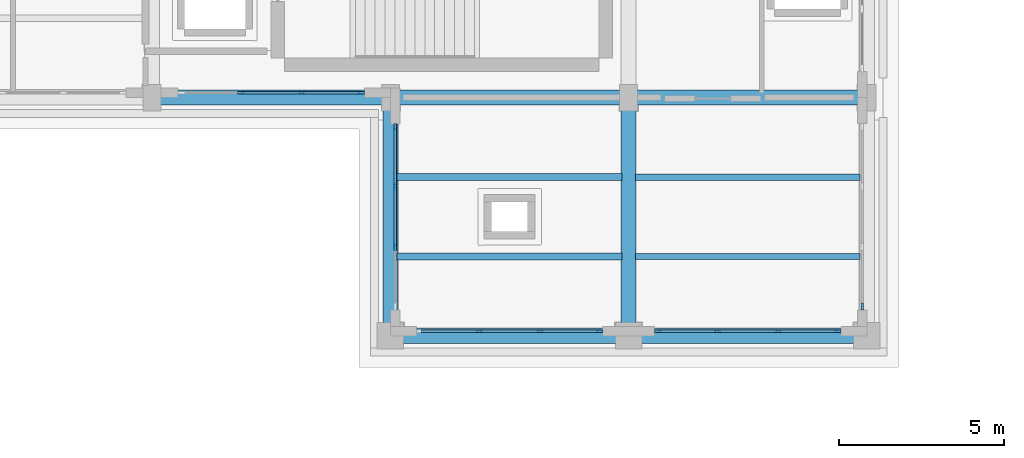
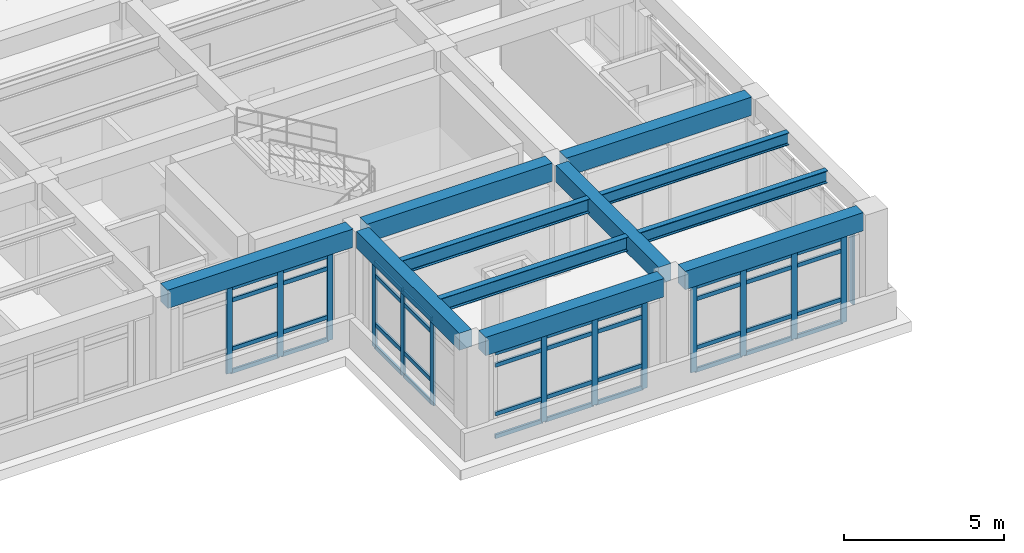
# One storey, part 27 of 67: 54 members, 11 beams, 5 elements without a shape of their own.
"""IFC4 building model written with IfcOpenShell, lengths in metres."""

from ifc_helpers import new_model, si_unit, direction, frame, origin, origin_2d, place, context, subcontext, project, spatial, rectangle, i_section, extrude, material, layer, layer_set, material_profile, profile_set, type_object, element, aggregate, save


model = new_model("IFC4")

# Units and contexts
model_context = context("Model", 3, precision=1e-05, world=origin(), true_north=direction((0.0, 1.0)))
body_context = subcontext(model_context, "Body", "Model", "MODEL_VIEW")
ifc_project = project(units=[si_unit("LENGTHUNIT", "METRE"), si_unit("AREAUNIT", "SQUARE_METRE"), si_unit("VOLUMEUNIT", "CUBIC_METRE"), si_unit("PLANEANGLEUNIT", "RADIAN"), si_unit("MASSUNIT", "GRAM", prefix="KILO")], contexts=[model_context])

# Site, building, storey
site_placement = place(None, origin())
site = spatial("IfcSite", under=ifc_project, at=site_placement, CompositionType="ELEMENT")
building_placement = place(site_placement, origin())
building = spatial("IfcBuilding", under=site, at=building_placement, Name="Solenvale Faculty of Natural Sciences", CompositionType="ELEMENT")
storey_placement = place(building_placement, frame((0.0, 0.0, 13.5)))
storey = spatial("IfcBuildingStorey", under=building, at=storey_placement, Name="L03", CompositionType="ELEMENT", Elevation=13.5)

# Beams
ifc_material_1 = material(Name="Concrete 40 MPa", Category="concrete")
ifc_material_profile_1 = material_profile(ifc_material_1, rectangle(XDim=0.449951171875, YDim=0.64990234375, at=origin_2d()), Name="RC-BM-450x650")
ifc_profile_set_1 = profile_set([ifc_material_profile_1], Name="Concrete 40 MPa")
beam_type_1 = type_object("IfcBeamType", Name="BM-RC-450x650", PredefinedType="BEAM", material=ifc_profile_set_1)
for number, where, z_axis, x_axis, name in (
    (1, (136.800048828125, 86.780029296875, 3.89501953125), (0.0, 1.0, 0.0), (-1.0, 0.0, 0.0), "L03 Y-Girder X136.8 (86.4..93.6)"),
    (2, (144.0, 86.780029296875, 3.89501953125), (0.0, 1.0, 0.0), (-1.0, 0.0, 0.0), "L03 Y-Girder X144.0 (86.4..93.6)"),
):
    element("IfcBeam", number, at=place(storey_placement, frame(where, z_axis=z_axis, x_axis=x_axis)), inside=storey, type_object=beam_type_1, Name=name, PredefinedType="BEAM", context=body_context, shape_type="SweptSolid", body=[
        extrude(rectangle(XDim=0.449951171875, YDim=0.64990234375, at=origin_2d()), origin(), (0.0, 0.0, 1.0), 6.43994140625),
    ])
ifc_material_profile_2 = material_profile(ifc_material_1, rectangle(XDim=0.449951171875, YDim=0.699951171875, at=origin_2d()), Name="RC-BM-450x700")
ifc_profile_set_2 = profile_set([ifc_material_profile_2], Name="Concrete 40 MPa")
beam_type_2 = type_object("IfcBeamType", Name="BM-RC-450x700", PredefinedType="BEAM", material=ifc_profile_set_2)
for number, where, z_axis, x_axis, name in (
    (3, (137.179931640625, 86.39990234375, 3.8701171875), (1.0, 0.0, 0.0), (0.0, 1.0, 0.0), "L03 X-Girder Y86.4 (136.8..144.0)"),
    (4, (144.3798828125, 86.39990234375, 3.8701171875), (1.0, 0.0, 0.0), (0.0, 1.0, 0.0), "L03 X-Girder Y86.4 (144.0..151.2)"),
):
    element("IfcBeam", number, at=place(storey_placement, frame(where, z_axis=z_axis, x_axis=x_axis)), inside=storey, type_object=beam_type_2, Name=name, PredefinedType="BEAM", context=body_context, shape_type="SweptSolid", body=[
        extrude(rectangle(XDim=0.449951171875, YDim=0.699951171875, at=origin_2d()), origin(), (0.0, 0.0, 1.0), 6.440185546875),
    ])
beam_placement = place(storey_placement, frame((129.85498046875, 93.60009765625, 3.8701171875), z_axis=(1.0, 0.0, 0.0), x_axis=(0.0, 1.0, 0.0)))
element("IfcBeam", 5, at=beam_placement, inside=storey, type_object=beam_type_2, Name="L03 X-Girder Y93.6 (129.6..136.8)", PredefinedType="BEAM", context=body_context, shape_type="SweptSolid", body=[
    extrude(rectangle(XDim=0.449951171875, YDim=0.699951171875, at=origin_2d()), origin(), (0.0, 0.0, 1.0), 6.68994140625),
])
for number, where, z_axis, x_axis, name in (
    (6, (137.054931640625, 93.60009765625, 3.8701171875), (1.0, 0.0, 0.0), (0.0, 1.0, 0.0), "L03 X-Girder Y93.6 (136.8..144.0)"),
    (7, (144.2548828125, 93.60009765625, 3.8701171875), (1.0, 0.0, 0.0), (0.0, 1.0, 0.0), "L03 X-Girder Y93.6 (144.0..151.2)"),
):
    element("IfcBeam", number, at=place(storey_placement, frame(where, z_axis=z_axis, x_axis=x_axis)), inside=storey, type_object=beam_type_2, Name=name, PredefinedType="BEAM", context=body_context, shape_type="SweptSolid", body=[
        extrude(rectangle(XDim=0.449951171875, YDim=0.699951171875, at=origin_2d()), origin(), (0.0, 0.0, 1.0), 6.690185546875),
    ])
ifc_material_2 = material(Name="Steel S355", Category="steel")
ifc_material_profile_3 = material_profile(ifc_material_2, i_section(OverallWidth=0.194091796875, OverallDepth=0.468994140625, WebThickness=0.0126953125, FlangeThickness=0.0205078125, FilletRadius=0.01806640625, at=origin_2d()), Name="W460x106")
ifc_profile_set_3 = profile_set([ifc_material_profile_3], Name="Steel S355")
beam_type_3 = type_object("IfcBeamType", Name="BM-STL-W460x106", PredefinedType="JOIST", material=ifc_profile_set_3)
for number, where, z_axis, x_axis, name in (
    (8, (144.205078125, 88.800048828125, 3.985595703125), (1.0, 0.0, 0.0), (0.0, 1.0, 0.0), "L03 Composite Floor Joist (21,13).1"),
    (9, (144.205078125, 91.199951171875, 3.985595703125), (1.0, 0.0, 0.0), (0.0, 1.0, 0.0), "L03 Composite Floor Joist (21,13).2"),
):
    element("IfcBeam", number, at=place(storey_placement, frame(where, z_axis=z_axis, x_axis=x_axis)), inside=storey, type_object=beam_type_3, Name=name, PredefinedType="JOIST", context=body_context, shape_type="SweptSolid", body=[
        extrude(i_section(OverallWidth=0.194091796875, OverallDepth=0.468994140625, WebThickness=0.0126953125, FlangeThickness=0.0205078125, FilletRadius=0.01806640625, at=origin_2d()), origin(), (0.0, 0.0, 1.0), 6.7900390625),
    ])
ifc_material_profile_4 = material_profile(ifc_material_2, i_section(OverallWidth=0.208984375, OverallDepth=0.532958984375, WebThickness=0.01025390625, FlangeThickness=0.015625, FilletRadius=0.01904296875, at=origin_2d()), Name="W530x92")
ifc_profile_set_4 = profile_set([ifc_material_profile_4], Name="Steel S355")
beam_type_4 = type_object("IfcBeamType", Name="BM-STL-W530x92", PredefinedType="JOIST", material=ifc_profile_set_4)
for number, where, z_axis, x_axis, name in (
    (10, (137.0048828125, 88.800048828125, 3.95361328125), (1.0, 0.0, 0.0), (0.0, 1.0, 0.0), "L03 Composite Floor Joist (20,13).1"),
    (11, (137.0048828125, 91.199951171875, 3.95361328125), (1.0, 0.0, 0.0), (0.0, 1.0, 0.0), "L03 Composite Floor Joist (20,13).2"),
):
    element("IfcBeam", number, at=place(storey_placement, frame(where, z_axis=z_axis, x_axis=x_axis)), inside=storey, type_object=beam_type_4, Name=name, PredefinedType="JOIST", context=body_context, shape_type="SweptSolid", body=[
        extrude(i_section(OverallWidth=0.208984375, OverallDepth=0.532958984375, WebThickness=0.01025390625, FlangeThickness=0.015625, FilletRadius=0.01904296875, at=origin_2d()), origin(), (0.0, 0.0, 1.0), 6.7900390625),
    ])

# Curtain wall, members
ifc_material_3 = material(Name="Anodised bronze aluminium", Category="aluminium")
ifc_layer = layer(ifc_material_3, 0.179931640625)
ifc_layer_set = layer_set([ifc_layer], Name="Anodised bronze aluminium")
curtain_wall_type = type_object("IfcCurtainWallType", Name="CW-TWR-MOD", PredefinedType="USERDEFINED", material=ifc_layer_set)
curtain_wall_1_placement = place(storey_placement, origin())
curtain_wall_1 = element("IfcCurtainWall", 12, at=curtain_wall_1_placement, inside=storey, type_object=curtain_wall_type, Name="L03 Curtain Wall CW-L03-P3-E1-B1", ObjectType="UNITISED CURTAIN WALL", PredefinedType="USERDEFINED")
ifc_material_profile_5 = material_profile(ifc_material_3, rectangle(XDim=0.074951171875, YDim=0.2099609375, at=origin_2d()), Name="ALU-MUL-75x210")
ifc_profile_set_5 = profile_set([ifc_material_profile_5], Name="Anodised bronze aluminium")
member_type_1 = type_object("IfcMemberType", Name="CWM-ALU-75x210", PredefinedType="MULLION", material=ifc_profile_set_5)
member_1_placement = place(storey_placement, frame((139.4833984375, 86.54248046875, 0.0), z_axis=(0.0, 0.0, 1.0), x_axis=(0.0, 1.0, 0.0)))
member_1 = element("IfcMember", 13, at=member_1_placement, type_object=member_type_1, Name="CW-04 mullion 2", PredefinedType="MULLION", context=body_context, shape_type="SweptSolid", body=[
    extrude(rectangle(XDim=0.074951171875, YDim=0.2099609375, at=origin_2d()), origin(), (0.0, 0.0, 1.0), 3.260009765625),
])
member_2_placement = place(storey_placement, frame((141.316650390625, 86.54248046875, 0.0), z_axis=(0.0, 0.0, 1.0), x_axis=(0.0, 1.0, 0.0)))
member_2 = element("IfcMember", 14, at=member_2_placement, type_object=member_type_1, Name="CW-04 mullion 3", PredefinedType="MULLION", context=body_context, shape_type="SweptSolid", body=[
    extrude(rectangle(XDim=0.074951171875, YDim=0.2099609375, at=origin_2d()), origin(), (0.0, 0.0, 1.0), 3.260009765625),
])
member_3_placement = place(storey_placement, frame((143.112548828125, 86.54248046875, 0.0), z_axis=(0.0, 0.0, 1.0), x_axis=(0.0, 1.0, 0.0)))
member_3 = element("IfcMember", 15, at=member_3_placement, type_object=member_type_1, Name="CW-04 mullion 4", PredefinedType="MULLION", context=body_context, shape_type="SweptSolid", body=[
    extrude(rectangle(XDim=0.074951171875, YDim=0.2099609375, at=origin_2d()), origin(), (0.0, 0.0, 1.0), 3.260009765625),
])

curtain_wall_2_placement = place(storey_placement, origin())
curtain_wall_2 = element("IfcCurtainWall", 16, at=curtain_wall_2_placement, inside=storey, type_object=curtain_wall_type, Name="L03 Curtain Wall CW-L03-P3-E1-B2", ObjectType="UNITISED CURTAIN WALL", PredefinedType="USERDEFINED")
member_4_placement = place(storey_placement, frame((144.887451171875, 86.54248046875, 0.0), z_axis=(0.0, 0.0, 1.0), x_axis=(0.0, 1.0, 0.0)))
member_4 = element("IfcMember", 17, at=member_4_placement, type_object=member_type_1, Name="CW-04 mullion 1", PredefinedType="MULLION", context=body_context, shape_type="SweptSolid", body=[
    extrude(rectangle(XDim=0.074951171875, YDim=0.2099609375, at=origin_2d()), origin(), (0.0, 0.0, 1.0), 3.260009765625),
])
member_5_placement = place(storey_placement, frame((146.683349609375, 86.54248046875, 0.0), z_axis=(0.0, 0.0, 1.0), x_axis=(0.0, 1.0, 0.0)))
member_5 = element("IfcMember", 18, at=member_5_placement, type_object=member_type_1, Name="CW-04 mullion 2", PredefinedType="MULLION", context=body_context, shape_type="SweptSolid", body=[
    extrude(rectangle(XDim=0.074951171875, YDim=0.2099609375, at=origin_2d()), origin(), (0.0, 0.0, 1.0), 3.260009765625),
])
member_6_placement = place(storey_placement, frame((148.5166015625, 86.54248046875, 0.0), z_axis=(0.0, 0.0, 1.0), x_axis=(0.0, 1.0, 0.0)))
member_6 = element("IfcMember", 19, at=member_6_placement, type_object=member_type_1, Name="CW-04 mullion 3", PredefinedType="MULLION", context=body_context, shape_type="SweptSolid", body=[
    extrude(rectangle(XDim=0.074951171875, YDim=0.2099609375, at=origin_2d()), origin(), (0.0, 0.0, 1.0), 3.260009765625),
])
member_7_placement = place(storey_placement, frame((150.3125, 86.54248046875, 0.0), z_axis=(0.0, 0.0, 1.0), x_axis=(0.0, 1.0, 0.0)))
member_7 = element("IfcMember", 20, at=member_7_placement, type_object=member_type_1, Name="CW-04 mullion 4", PredefinedType="MULLION", context=body_context, shape_type="SweptSolid", body=[
    extrude(rectangle(XDim=0.074951171875, YDim=0.2099609375, at=origin_2d()), origin(), (0.0, 0.0, 1.0), 3.260009765625),
])

# Curtain wall, member
curtain_wall_3_placement = place(storey_placement, origin())
curtain_wall_3 = element("IfcCurtainWall", 21, at=curtain_wall_3_placement, inside=storey, type_object=curtain_wall_type, Name="L03 Curtain Wall CW-L03-P3-E2-B1", ObjectType="UNITISED CURTAIN WALL", PredefinedType="USERDEFINED")
member_8_placement = place(storey_placement, frame((151.0576171875, 87.28759765625, 0.0), z_axis=(0.0, 0.0, 1.0), x_axis=(-1.0, 0.0, 0.0)))
member_8 = element("IfcMember", 22, at=member_8_placement, type_object=member_type_1, Name="CW-04 mullion 1", PredefinedType="MULLION", context=body_context, shape_type="SweptSolid", body=[
    extrude(rectangle(XDim=0.074951171875, YDim=0.2099609375, at=origin_2d()), origin(), (0.0, 0.0, 1.0), 3.260009765625),
])
aggregate(curtain_wall_3, [member_8])

# Curtain wall, members
curtain_wall_4_placement = place(storey_placement, origin())
curtain_wall_4 = element("IfcCurtainWall", 23, at=curtain_wall_4_placement, inside=storey, type_object=curtain_wall_type, Name="L03 Curtain Wall CW-L03-P3-E6-B8", ObjectType="UNITISED CURTAIN WALL", PredefinedType="USERDEFINED")
member_9_placement = place(storey_placement, frame((132.283447265625, 93.742431640625, 0.0), z_axis=(0.0, 0.0, 1.0), x_axis=(0.0, 1.0, 0.0)))
member_9 = element("IfcMember", 24, at=member_9_placement, type_object=member_type_1, Name="CW-04 mullion 2", PredefinedType="MULLION", context=body_context, shape_type="SweptSolid", body=[
    extrude(rectangle(XDim=0.074951171875, YDim=0.2099609375, at=origin_2d()), origin(), (0.0, 0.0, 1.0), 3.260009765625),
])
member_10_placement = place(storey_placement, frame((134.11669921875, 93.742431640625, 0.0), z_axis=(0.0, 0.0, 1.0), x_axis=(0.0, 1.0, 0.0)))
member_10 = element("IfcMember", 25, at=member_10_placement, type_object=member_type_1, Name="CW-04 mullion 3", PredefinedType="MULLION", context=body_context, shape_type="SweptSolid", body=[
    extrude(rectangle(XDim=0.074951171875, YDim=0.2099609375, at=origin_2d()), origin(), (0.0, 0.0, 1.0), 3.260009765625),
])
member_11_placement = place(storey_placement, frame((135.91259765625, 93.742431640625, 0.0), z_axis=(0.0, 0.0, 1.0), x_axis=(0.0, 1.0, 0.0)))
member_11 = element("IfcMember", 26, at=member_11_placement, type_object=member_type_1, Name="CW-04 mullion 4", PredefinedType="MULLION", context=body_context, shape_type="SweptSolid", body=[
    extrude(rectangle(XDim=0.074951171875, YDim=0.2099609375, at=origin_2d()), origin(), (0.0, 0.0, 1.0), 3.260009765625),
])

curtain_wall_5_placement = place(storey_placement, origin())
curtain_wall_5 = element("IfcCurtainWall", 27, at=curtain_wall_5_placement, inside=storey, type_object=curtain_wall_type, Name="L03 Curtain Wall CW-L03-P3-E7-B1", ObjectType="UNITISED CURTAIN WALL", PredefinedType="USERDEFINED")
member_12_placement = place(storey_placement, frame((136.9423828125, 92.71240234375, 0.0), z_axis=(0.0, 0.0, 1.0), x_axis=(1.0, 0.0, 0.0)))
member_12 = element("IfcMember", 28, at=member_12_placement, type_object=member_type_1, Name="CW-04 mullion 1", PredefinedType="MULLION", context=body_context, shape_type="SweptSolid", body=[
    extrude(rectangle(XDim=0.074951171875, YDim=0.2099609375, at=origin_2d()), origin(), (0.0, 0.0, 1.0), 3.260009765625),
])
member_13_placement = place(storey_placement, frame((136.9423828125, 90.916748046875, 0.0), z_axis=(0.0, 0.0, 1.0), x_axis=(1.0, 0.0, 0.0)))
member_13 = element("IfcMember", 29, at=member_13_placement, type_object=member_type_1, Name="CW-04 mullion 2", PredefinedType="MULLION", context=body_context, shape_type="SweptSolid", body=[
    extrude(rectangle(XDim=0.074951171875, YDim=0.2099609375, at=origin_2d()), origin(), (0.0, 0.0, 1.0), 3.260009765625),
])
member_14_placement = place(storey_placement, frame((136.9423828125, 89.083251953125, 0.0), z_axis=(0.0, 0.0, 1.0), x_axis=(1.0, 0.0, 0.0)))
member_14 = element("IfcMember", 30, at=member_14_placement, type_object=member_type_1, Name="CW-04 mullion 3", PredefinedType="MULLION", context=body_context, shape_type="SweptSolid", body=[
    extrude(rectangle(XDim=0.074951171875, YDim=0.2099609375, at=origin_2d()), origin(), (0.0, 0.0, 1.0), 3.260009765625),
])

# Member
ifc_material_profile_6 = material_profile(ifc_material_3, rectangle(XDim=0.074951171875, YDim=0.155029296875, at=origin_2d()), Name="ALU-TRN-75x155")
ifc_profile_set_6 = profile_set([ifc_material_profile_6], Name="Anodised bronze aluminium")
member_type_2 = type_object("IfcMemberType", Name="CWT-ALU-75x155", PredefinedType="USERDEFINED", material=ifc_profile_set_6)
member_15_placement = place(storey_placement, frame((137.72509765625, 86.54248046875, 0.03759765625), z_axis=(1.0, 0.0, 0.0), x_axis=(0.0, 1.0, 0.0)))
member_15 = element("IfcMember", 31, at=member_15_placement, type_object=member_type_2, Name="CW-04 transom 1.1", ObjectType="TRANSOM", PredefinedType="USERDEFINED", context=body_context, shape_type="SweptSolid", body=[
    extrude(rectangle(XDim=0.074951171875, YDim=0.155029296875, at=origin_2d()), origin(), (0.0, 0.0, 1.0), 1.720703125),
])

member_16_placement = place(storey_placement, frame((137.72509765625, 86.54248046875, 0.89990234375), z_axis=(1.0, 0.0, 0.0), x_axis=(0.0, 1.0, 0.0)))
member_16 = element("IfcMember", 32, at=member_16_placement, type_object=member_type_2, Name="CW-04 transom 1.2", ObjectType="TRANSOM", PredefinedType="USERDEFINED", context=body_context, shape_type="SweptSolid", body=[
    extrude(rectangle(XDim=0.074951171875, YDim=0.155029296875, at=origin_2d()), origin(), (0.0, 0.0, 1.0), 1.720703125),
])

member_17_placement = place(storey_placement, frame((137.72509765625, 86.54248046875, 2.760009765625), z_axis=(1.0, 0.0, 0.0), x_axis=(0.0, 1.0, 0.0)))
member_17 = element("IfcMember", 33, at=member_17_placement, type_object=member_type_2, Name="CW-04 transom 1.3", ObjectType="TRANSOM", PredefinedType="USERDEFINED", context=body_context, shape_type="SweptSolid", body=[
    extrude(rectangle(XDim=0.074951171875, YDim=0.155029296875, at=origin_2d()), origin(), (0.0, 0.0, 1.0), 1.720703125),
])

member_18_placement = place(storey_placement, frame((137.72509765625, 86.54248046875, 3.222412109375), z_axis=(1.0, 0.0, 0.0), x_axis=(0.0, 1.0, 0.0)))
member_18 = element("IfcMember", 34, at=member_18_placement, type_object=member_type_2, Name="CW-04 transom 1.4", ObjectType="TRANSOM", PredefinedType="USERDEFINED", context=body_context, shape_type="SweptSolid", body=[
    extrude(rectangle(XDim=0.074951171875, YDim=0.155029296875, at=origin_2d()), origin(), (0.0, 0.0, 1.0), 1.720703125),
])

member_19_placement = place(storey_placement, frame((139.520751953125, 86.54248046875, 0.03759765625), z_axis=(1.0, 0.0, 0.0), x_axis=(0.0, 1.0, 0.0)))
member_19 = element("IfcMember", 35, at=member_19_placement, type_object=member_type_2, Name="CW-04 transom 2.1", ObjectType="TRANSOM", PredefinedType="USERDEFINED", context=body_context, shape_type="SweptSolid", body=[
    extrude(rectangle(XDim=0.074951171875, YDim=0.155029296875, at=origin_2d()), origin(), (0.0, 0.0, 1.0), 1.75830078125),
])

member_20_placement = place(storey_placement, frame((139.520751953125, 86.54248046875, 0.89990234375), z_axis=(1.0, 0.0, 0.0), x_axis=(0.0, 1.0, 0.0)))
member_20 = element("IfcMember", 36, at=member_20_placement, type_object=member_type_2, Name="CW-04 transom 2.2", ObjectType="TRANSOM", PredefinedType="USERDEFINED", context=body_context, shape_type="SweptSolid", body=[
    extrude(rectangle(XDim=0.074951171875, YDim=0.155029296875, at=origin_2d()), origin(), (0.0, 0.0, 1.0), 1.75830078125),
])

member_21_placement = place(storey_placement, frame((139.520751953125, 86.54248046875, 2.760009765625), z_axis=(1.0, 0.0, 0.0), x_axis=(0.0, 1.0, 0.0)))
member_21 = element("IfcMember", 37, at=member_21_placement, type_object=member_type_2, Name="CW-04 transom 2.3", ObjectType="TRANSOM", PredefinedType="USERDEFINED", context=body_context, shape_type="SweptSolid", body=[
    extrude(rectangle(XDim=0.074951171875, YDim=0.155029296875, at=origin_2d()), origin(), (0.0, 0.0, 1.0), 1.75830078125),
])

member_22_placement = place(storey_placement, frame((139.520751953125, 86.54248046875, 3.222412109375), z_axis=(1.0, 0.0, 0.0), x_axis=(0.0, 1.0, 0.0)))
member_22 = element("IfcMember", 38, at=member_22_placement, type_object=member_type_2, Name="CW-04 transom 2.4", ObjectType="TRANSOM", PredefinedType="USERDEFINED", context=body_context, shape_type="SweptSolid", body=[
    extrude(rectangle(XDim=0.074951171875, YDim=0.155029296875, at=origin_2d()), origin(), (0.0, 0.0, 1.0), 1.75830078125),
])

member_23_placement = place(storey_placement, frame((141.354248046875, 86.54248046875, 0.03759765625), z_axis=(1.0, 0.0, 0.0), x_axis=(0.0, 1.0, 0.0)))
member_23 = element("IfcMember", 39, at=member_23_placement, type_object=member_type_2, Name="CW-04 transom 3.1", ObjectType="TRANSOM", PredefinedType="USERDEFINED", context=body_context, shape_type="SweptSolid", body=[
    extrude(rectangle(XDim=0.074951171875, YDim=0.155029296875, at=origin_2d()), origin(), (0.0, 0.0, 1.0), 1.720703125),
])

member_24_placement = place(storey_placement, frame((141.354248046875, 86.54248046875, 0.89990234375), z_axis=(1.0, 0.0, 0.0), x_axis=(0.0, 1.0, 0.0)))
member_24 = element("IfcMember", 40, at=member_24_placement, type_object=member_type_2, Name="CW-04 transom 3.2", ObjectType="TRANSOM", PredefinedType="USERDEFINED", context=body_context, shape_type="SweptSolid", body=[
    extrude(rectangle(XDim=0.074951171875, YDim=0.155029296875, at=origin_2d()), origin(), (0.0, 0.0, 1.0), 1.720703125),
])

member_25_placement = place(storey_placement, frame((141.354248046875, 86.54248046875, 2.760009765625), z_axis=(1.0, 0.0, 0.0), x_axis=(0.0, 1.0, 0.0)))
member_25 = element("IfcMember", 41, at=member_25_placement, type_object=member_type_2, Name="CW-04 transom 3.3", ObjectType="TRANSOM", PredefinedType="USERDEFINED", context=body_context, shape_type="SweptSolid", body=[
    extrude(rectangle(XDim=0.074951171875, YDim=0.155029296875, at=origin_2d()), origin(), (0.0, 0.0, 1.0), 1.720703125),
])

member_26_placement = place(storey_placement, frame((141.354248046875, 86.54248046875, 3.222412109375), z_axis=(1.0, 0.0, 0.0), x_axis=(0.0, 1.0, 0.0)))
member_26 = element("IfcMember", 42, at=member_26_placement, type_object=member_type_2, Name="CW-04 transom 3.4", ObjectType="TRANSOM", PredefinedType="USERDEFINED", context=body_context, shape_type="SweptSolid", body=[
    extrude(rectangle(XDim=0.074951171875, YDim=0.155029296875, at=origin_2d()), origin(), (0.0, 0.0, 1.0), 1.720703125),
])

aggregate(curtain_wall_1, [member_1, member_2, member_3, member_15, member_16, member_17, member_18, member_19, member_20, member_21, member_22, member_23, member_24, member_25, member_26])

member_27_placement = place(storey_placement, frame((144.925048828125, 86.54248046875, 0.03759765625), z_axis=(1.0, 0.0, 0.0), x_axis=(0.0, 1.0, 0.0)))
member_27 = element("IfcMember", 43, at=member_27_placement, type_object=member_type_2, Name="CW-04 transom 1.1", ObjectType="TRANSOM", PredefinedType="USERDEFINED", context=body_context, shape_type="SweptSolid", body=[
    extrude(rectangle(XDim=0.074951171875, YDim=0.155029296875, at=origin_2d()), origin(), (0.0, 0.0, 1.0), 1.720703125),
])

member_28_placement = place(storey_placement, frame((144.925048828125, 86.54248046875, 0.89990234375), z_axis=(1.0, 0.0, 0.0), x_axis=(0.0, 1.0, 0.0)))
member_28 = element("IfcMember", 44, at=member_28_placement, type_object=member_type_2, Name="CW-04 transom 1.2", ObjectType="TRANSOM", PredefinedType="USERDEFINED", context=body_context, shape_type="SweptSolid", body=[
    extrude(rectangle(XDim=0.074951171875, YDim=0.155029296875, at=origin_2d()), origin(), (0.0, 0.0, 1.0), 1.720703125),
])

member_29_placement = place(storey_placement, frame((144.925048828125, 86.54248046875, 2.760009765625), z_axis=(1.0, 0.0, 0.0), x_axis=(0.0, 1.0, 0.0)))
member_29 = element("IfcMember", 45, at=member_29_placement, type_object=member_type_2, Name="CW-04 transom 1.3", ObjectType="TRANSOM", PredefinedType="USERDEFINED", context=body_context, shape_type="SweptSolid", body=[
    extrude(rectangle(XDim=0.074951171875, YDim=0.155029296875, at=origin_2d()), origin(), (0.0, 0.0, 1.0), 1.720703125),
])

member_30_placement = place(storey_placement, frame((144.925048828125, 86.54248046875, 3.222412109375), z_axis=(1.0, 0.0, 0.0), x_axis=(0.0, 1.0, 0.0)))
member_30 = element("IfcMember", 46, at=member_30_placement, type_object=member_type_2, Name="CW-04 transom 1.4", ObjectType="TRANSOM", PredefinedType="USERDEFINED", context=body_context, shape_type="SweptSolid", body=[
    extrude(rectangle(XDim=0.074951171875, YDim=0.155029296875, at=origin_2d()), origin(), (0.0, 0.0, 1.0), 1.720703125),
])

member_31_placement = place(storey_placement, frame((146.720947265625, 86.54248046875, 0.03759765625), z_axis=(1.0, 0.0, 0.0), x_axis=(0.0, 1.0, 0.0)))
member_31 = element("IfcMember", 47, at=member_31_placement, type_object=member_type_2, Name="CW-04 transom 2.1", ObjectType="TRANSOM", PredefinedType="USERDEFINED", context=body_context, shape_type="SweptSolid", body=[
    extrude(rectangle(XDim=0.074951171875, YDim=0.155029296875, at=origin_2d()), origin(), (0.0, 0.0, 1.0), 1.75830078125),
])

member_32_placement = place(storey_placement, frame((146.720947265625, 86.54248046875, 0.89990234375), z_axis=(1.0, 0.0, 0.0), x_axis=(0.0, 1.0, 0.0)))
member_32 = element("IfcMember", 48, at=member_32_placement, type_object=member_type_2, Name="CW-04 transom 2.2", ObjectType="TRANSOM", PredefinedType="USERDEFINED", context=body_context, shape_type="SweptSolid", body=[
    extrude(rectangle(XDim=0.074951171875, YDim=0.155029296875, at=origin_2d()), origin(), (0.0, 0.0, 1.0), 1.75830078125),
])

member_33_placement = place(storey_placement, frame((146.720947265625, 86.54248046875, 2.760009765625), z_axis=(1.0, 0.0, 0.0), x_axis=(0.0, 1.0, 0.0)))
member_33 = element("IfcMember", 49, at=member_33_placement, type_object=member_type_2, Name="CW-04 transom 2.3", ObjectType="TRANSOM", PredefinedType="USERDEFINED", context=body_context, shape_type="SweptSolid", body=[
    extrude(rectangle(XDim=0.074951171875, YDim=0.155029296875, at=origin_2d()), origin(), (0.0, 0.0, 1.0), 1.75830078125),
])

member_34_placement = place(storey_placement, frame((146.720947265625, 86.54248046875, 3.222412109375), z_axis=(1.0, 0.0, 0.0), x_axis=(0.0, 1.0, 0.0)))
member_34 = element("IfcMember", 50, at=member_34_placement, type_object=member_type_2, Name="CW-04 transom 2.4", ObjectType="TRANSOM", PredefinedType="USERDEFINED", context=body_context, shape_type="SweptSolid", body=[
    extrude(rectangle(XDim=0.074951171875, YDim=0.155029296875, at=origin_2d()), origin(), (0.0, 0.0, 1.0), 1.75830078125),
])

member_35_placement = place(storey_placement, frame((148.55419921875, 86.54248046875, 0.03759765625), z_axis=(1.0, 0.0, 0.0), x_axis=(0.0, 1.0, 0.0)))
member_35 = element("IfcMember", 51, at=member_35_placement, type_object=member_type_2, Name="CW-04 transom 3.1", ObjectType="TRANSOM", PredefinedType="USERDEFINED", context=body_context, shape_type="SweptSolid", body=[
    extrude(rectangle(XDim=0.074951171875, YDim=0.155029296875, at=origin_2d()), origin(), (0.0, 0.0, 1.0), 1.720703125),
])

member_36_placement = place(storey_placement, frame((148.55419921875, 86.54248046875, 0.89990234375), z_axis=(1.0, 0.0, 0.0), x_axis=(0.0, 1.0, 0.0)))
member_36 = element("IfcMember", 52, at=member_36_placement, type_object=member_type_2, Name="CW-04 transom 3.2", ObjectType="TRANSOM", PredefinedType="USERDEFINED", context=body_context, shape_type="SweptSolid", body=[
    extrude(rectangle(XDim=0.074951171875, YDim=0.155029296875, at=origin_2d()), origin(), (0.0, 0.0, 1.0), 1.720703125),
])

member_37_placement = place(storey_placement, frame((148.55419921875, 86.54248046875, 2.760009765625), z_axis=(1.0, 0.0, 0.0), x_axis=(0.0, 1.0, 0.0)))
member_37 = element("IfcMember", 53, at=member_37_placement, type_object=member_type_2, Name="CW-04 transom 3.3", ObjectType="TRANSOM", PredefinedType="USERDEFINED", context=body_context, shape_type="SweptSolid", body=[
    extrude(rectangle(XDim=0.074951171875, YDim=0.155029296875, at=origin_2d()), origin(), (0.0, 0.0, 1.0), 1.720703125),
])

member_38_placement = place(storey_placement, frame((148.55419921875, 86.54248046875, 3.222412109375), z_axis=(1.0, 0.0, 0.0), x_axis=(0.0, 1.0, 0.0)))
member_38 = element("IfcMember", 54, at=member_38_placement, type_object=member_type_2, Name="CW-04 transom 3.4", ObjectType="TRANSOM", PredefinedType="USERDEFINED", context=body_context, shape_type="SweptSolid", body=[
    extrude(rectangle(XDim=0.074951171875, YDim=0.155029296875, at=origin_2d()), origin(), (0.0, 0.0, 1.0), 1.720703125),
])

aggregate(curtain_wall_2, [member_4, member_5, member_6, member_7, member_27, member_28, member_29, member_30, member_31, member_32, member_33, member_34, member_35, member_36, member_37, member_38])

member_39_placement = place(storey_placement, frame((132.32080078125, 93.742431640625, 0.03759765625), z_axis=(1.0, 0.0, 0.0), x_axis=(0.0, 1.0, 0.0)))
member_39 = element("IfcMember", 55, at=member_39_placement, type_object=member_type_2, Name="CW-04 transom 2.1", ObjectType="TRANSOM", PredefinedType="USERDEFINED", context=body_context, shape_type="SweptSolid", body=[
    extrude(rectangle(XDim=0.074951171875, YDim=0.155029296875, at=origin_2d()), origin(), (0.0, 0.0, 1.0), 1.75830078125),
])

member_40_placement = place(storey_placement, frame((132.32080078125, 93.742431640625, 0.89990234375), z_axis=(1.0, 0.0, 0.0), x_axis=(0.0, 1.0, 0.0)))
member_40 = element("IfcMember", 56, at=member_40_placement, type_object=member_type_2, Name="CW-04 transom 2.2", ObjectType="TRANSOM", PredefinedType="USERDEFINED", context=body_context, shape_type="SweptSolid", body=[
    extrude(rectangle(XDim=0.074951171875, YDim=0.155029296875, at=origin_2d()), origin(), (0.0, 0.0, 1.0), 1.75830078125),
])

member_41_placement = place(storey_placement, frame((132.32080078125, 93.742431640625, 2.760009765625), z_axis=(1.0, 0.0, 0.0), x_axis=(0.0, 1.0, 0.0)))
member_41 = element("IfcMember", 57, at=member_41_placement, type_object=member_type_2, Name="CW-04 transom 2.3", ObjectType="TRANSOM", PredefinedType="USERDEFINED", context=body_context, shape_type="SweptSolid", body=[
    extrude(rectangle(XDim=0.074951171875, YDim=0.155029296875, at=origin_2d()), origin(), (0.0, 0.0, 1.0), 1.75830078125),
])

member_42_placement = place(storey_placement, frame((132.32080078125, 93.742431640625, 3.222412109375), z_axis=(1.0, 0.0, 0.0), x_axis=(0.0, 1.0, 0.0)))
member_42 = element("IfcMember", 58, at=member_42_placement, type_object=member_type_2, Name="CW-04 transom 2.4", ObjectType="TRANSOM", PredefinedType="USERDEFINED", context=body_context, shape_type="SweptSolid", body=[
    extrude(rectangle(XDim=0.074951171875, YDim=0.155029296875, at=origin_2d()), origin(), (0.0, 0.0, 1.0), 1.75830078125),
])

member_43_placement = place(storey_placement, frame((134.154052734375, 93.742431640625, 0.03759765625), z_axis=(1.0, 0.0, 0.0), x_axis=(0.0, 1.0, 0.0)))
member_43 = element("IfcMember", 59, at=member_43_placement, type_object=member_type_2, Name="CW-04 transom 3.1", ObjectType="TRANSOM", PredefinedType="USERDEFINED", context=body_context, shape_type="SweptSolid", body=[
    extrude(rectangle(XDim=0.074951171875, YDim=0.155029296875, at=origin_2d()), origin(), (0.0, 0.0, 1.0), 1.720947265625),
])

member_44_placement = place(storey_placement, frame((134.154052734375, 93.742431640625, 0.89990234375), z_axis=(1.0, 0.0, 0.0), x_axis=(0.0, 1.0, 0.0)))
member_44 = element("IfcMember", 60, at=member_44_placement, type_object=member_type_2, Name="CW-04 transom 3.2", ObjectType="TRANSOM", PredefinedType="USERDEFINED", context=body_context, shape_type="SweptSolid", body=[
    extrude(rectangle(XDim=0.074951171875, YDim=0.155029296875, at=origin_2d()), origin(), (0.0, 0.0, 1.0), 1.720947265625),
])

member_45_placement = place(storey_placement, frame((134.154052734375, 93.742431640625, 2.760009765625), z_axis=(1.0, 0.0, 0.0), x_axis=(0.0, 1.0, 0.0)))
member_45 = element("IfcMember", 61, at=member_45_placement, type_object=member_type_2, Name="CW-04 transom 3.3", ObjectType="TRANSOM", PredefinedType="USERDEFINED", context=body_context, shape_type="SweptSolid", body=[
    extrude(rectangle(XDim=0.074951171875, YDim=0.155029296875, at=origin_2d()), origin(), (0.0, 0.0, 1.0), 1.720947265625),
])

member_46_placement = place(storey_placement, frame((134.154052734375, 93.742431640625, 3.222412109375), z_axis=(1.0, 0.0, 0.0), x_axis=(0.0, 1.0, 0.0)))
member_46 = element("IfcMember", 62, at=member_46_placement, type_object=member_type_2, Name="CW-04 transom 3.4", ObjectType="TRANSOM", PredefinedType="USERDEFINED", context=body_context, shape_type="SweptSolid", body=[
    extrude(rectangle(XDim=0.074951171875, YDim=0.155029296875, at=origin_2d()), origin(), (0.0, 0.0, 1.0), 1.720947265625),
])

aggregate(curtain_wall_4, [member_9, member_10, member_11, member_39, member_40, member_41, member_42, member_43, member_44, member_45, member_46])

member_47_placement = place(storey_placement, frame((136.9423828125, 92.675048828125, 0.03759765625), z_axis=(0.0, -1.0, 0.0), x_axis=(1.0, 0.0, 0.0)))
member_47 = element("IfcMember", 63, at=member_47_placement, type_object=member_type_2, Name="CW-04 transom 1.1", ObjectType="TRANSOM", PredefinedType="USERDEFINED", context=body_context, shape_type="SweptSolid", body=[
    extrude(rectangle(XDim=0.074951171875, YDim=0.155029296875, at=origin_2d()), origin(), (0.0, 0.0, 1.0), 1.720947265625),
])

member_48_placement = place(storey_placement, frame((136.9423828125, 92.675048828125, 0.89990234375), z_axis=(0.0, -1.0, 0.0), x_axis=(1.0, 0.0, 0.0)))
member_48 = element("IfcMember", 64, at=member_48_placement, type_object=member_type_2, Name="CW-04 transom 1.2", ObjectType="TRANSOM", PredefinedType="USERDEFINED", context=body_context, shape_type="SweptSolid", body=[
    extrude(rectangle(XDim=0.074951171875, YDim=0.155029296875, at=origin_2d()), origin(), (0.0, 0.0, 1.0), 1.720947265625),
])

member_49_placement = place(storey_placement, frame((136.9423828125, 92.675048828125, 2.760009765625), z_axis=(0.0, -1.0, 0.0), x_axis=(1.0, 0.0, 0.0)))
member_49 = element("IfcMember", 65, at=member_49_placement, type_object=member_type_2, Name="CW-04 transom 1.3", ObjectType="TRANSOM", PredefinedType="USERDEFINED", context=body_context, shape_type="SweptSolid", body=[
    extrude(rectangle(XDim=0.074951171875, YDim=0.155029296875, at=origin_2d()), origin(), (0.0, 0.0, 1.0), 1.720947265625),
])

member_50_placement = place(storey_placement, frame((136.9423828125, 92.675048828125, 3.222412109375), z_axis=(0.0, -1.0, 0.0), x_axis=(1.0, 0.0, 0.0)))
member_50 = element("IfcMember", 66, at=member_50_placement, type_object=member_type_2, Name="CW-04 transom 1.4", ObjectType="TRANSOM", PredefinedType="USERDEFINED", context=body_context, shape_type="SweptSolid", body=[
    extrude(rectangle(XDim=0.074951171875, YDim=0.155029296875, at=origin_2d()), origin(), (0.0, 0.0, 1.0), 1.720947265625),
])

member_51_placement = place(storey_placement, frame((136.9423828125, 90.879150390625, 0.03759765625), z_axis=(0.0, -1.0, 0.0), x_axis=(1.0, 0.0, 0.0)))
member_51 = element("IfcMember", 67, at=member_51_placement, type_object=member_type_2, Name="CW-04 transom 2.1", ObjectType="TRANSOM", PredefinedType="USERDEFINED", context=body_context, shape_type="SweptSolid", body=[
    extrude(rectangle(XDim=0.074951171875, YDim=0.155029296875, at=origin_2d()), origin(), (0.0, 0.0, 1.0), 1.75830078125),
])

member_52_placement = place(storey_placement, frame((136.9423828125, 90.879150390625, 0.89990234375), z_axis=(0.0, -1.0, 0.0), x_axis=(1.0, 0.0, 0.0)))
member_52 = element("IfcMember", 68, at=member_52_placement, type_object=member_type_2, Name="CW-04 transom 2.2", ObjectType="TRANSOM", PredefinedType="USERDEFINED", context=body_context, shape_type="SweptSolid", body=[
    extrude(rectangle(XDim=0.074951171875, YDim=0.155029296875, at=origin_2d()), origin(), (0.0, 0.0, 1.0), 1.75830078125),
])

member_53_placement = place(storey_placement, frame((136.9423828125, 90.879150390625, 2.760009765625), z_axis=(0.0, -1.0, 0.0), x_axis=(1.0, 0.0, 0.0)))
member_53 = element("IfcMember", 69, at=member_53_placement, type_object=member_type_2, Name="CW-04 transom 2.3", ObjectType="TRANSOM", PredefinedType="USERDEFINED", context=body_context, shape_type="SweptSolid", body=[
    extrude(rectangle(XDim=0.074951171875, YDim=0.155029296875, at=origin_2d()), origin(), (0.0, 0.0, 1.0), 1.75830078125),
])

member_54_placement = place(storey_placement, frame((136.9423828125, 90.879150390625, 3.222412109375), z_axis=(0.0, -1.0, 0.0), x_axis=(1.0, 0.0, 0.0)))
member_54 = element("IfcMember", 70, at=member_54_placement, type_object=member_type_2, Name="CW-04 transom 2.4", ObjectType="TRANSOM", PredefinedType="USERDEFINED", context=body_context, shape_type="SweptSolid", body=[
    extrude(rectangle(XDim=0.074951171875, YDim=0.155029296875, at=origin_2d()), origin(), (0.0, 0.0, 1.0), 1.75830078125),
])

aggregate(curtain_wall_5, [member_12, member_13, member_14, member_47, member_48, member_49, member_50, member_51, member_52, member_53, member_54])

save(model, "model.ifc")
